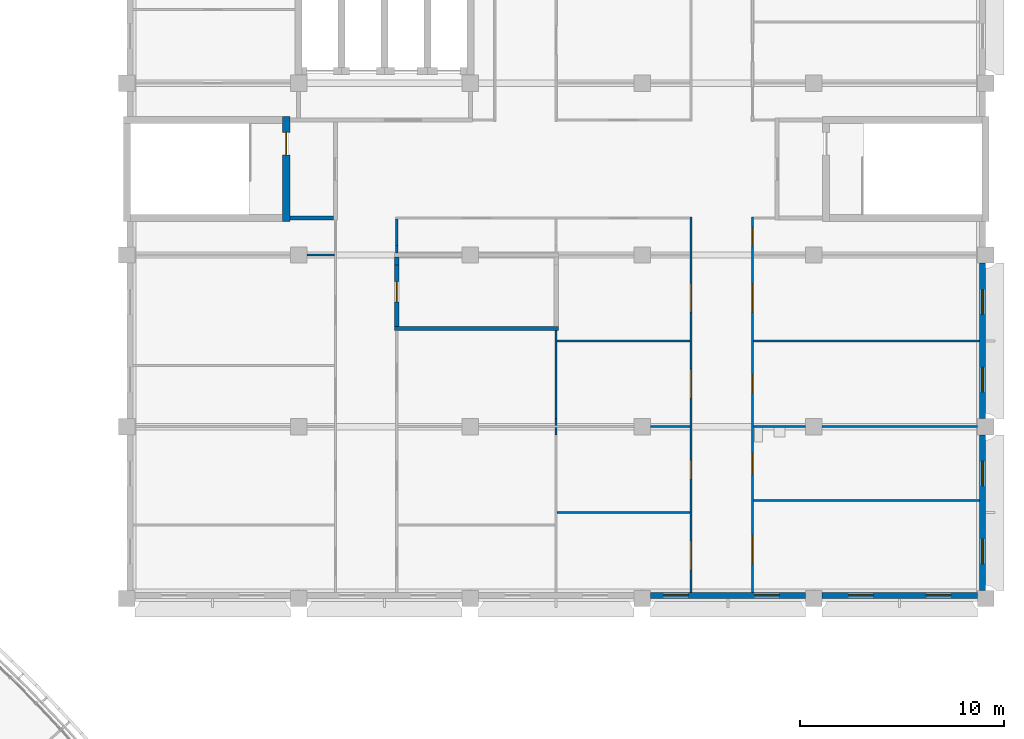
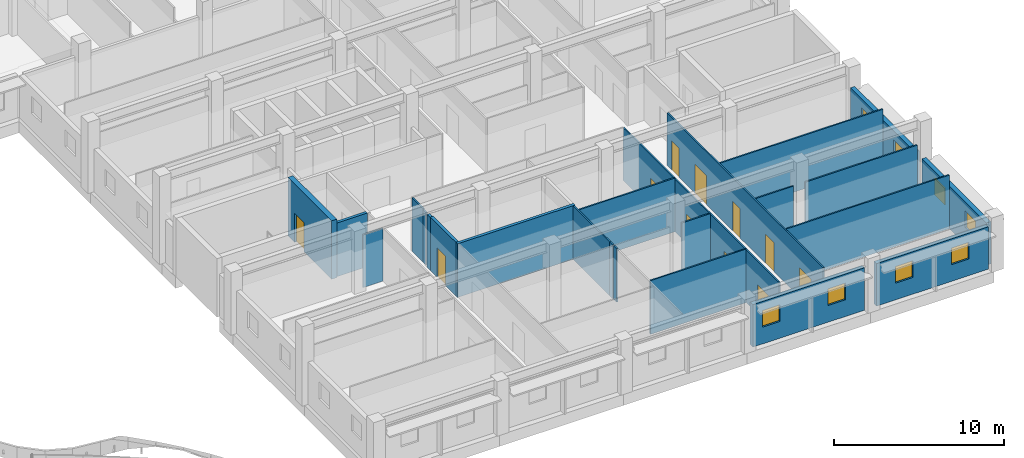
# One storey, part 68 of 109: 24 walls, 11 doors, 8 windows, 19 openings.
"""IFC4 building model written with IfcOpenShell, lengths in metres."""

from ifc_helpers import new_model, si_unit, direction, frame, frame_2d, origin, place, context, subcontext, project, spatial, rectangle, extrude, material, layer, layer_set, type_object, element, fill, save


model = new_model("IFC4")

# Units and contexts
model_context = context("Model", 3, precision=1e-05, world=origin(), true_north=direction((0.0, 1.0)))
body_context = subcontext(model_context, "Body", "Model", "MODEL_VIEW")
ifc_project = project(units=[si_unit("LENGTHUNIT", "METRE"), si_unit("AREAUNIT", "SQUARE_METRE"), si_unit("VOLUMEUNIT", "CUBIC_METRE"), si_unit("PLANEANGLEUNIT", "RADIAN"), si_unit("MASSUNIT", "GRAM", prefix="KILO")], contexts=[model_context])

# Site, building, storey
site_placement = place(None, origin())
site = spatial("IfcSite", under=ifc_project, at=site_placement, CompositionType="ELEMENT")
building_placement = place(site_placement, origin())
building = spatial("IfcBuilding", under=site, at=building_placement, Name="Bougainvillea Quay General Hospital", CompositionType="ELEMENT")
storey_placement = place(building_placement, frame((0.0, 0.0, 12.60009765625)))
storey = spatial("IfcBuildingStorey", under=building, at=storey_placement, Name="L02", CompositionType="ELEMENT", Elevation=12.60009765625)

# Wall, openings, windows
ifc_material_1 = material(Name="Pale stone rainscreen cladding on insulated masonry backing, pale stone", Category="masonry")
ifc_layer_1 = layer(ifc_material_1, 0.300048828125)
ifc_layer_set_1 = layer_set([ifc_layer_1], Name="Pale stone rainscreen cladding on insulated masonry backing, pale stone")
wall_type_1 = type_object("IfcWallType", Name="External wall pale stone rainscreen 300", PredefinedType="STANDARD", material=ifc_layer_set_1)
wall_1_placement = place(storey_placement, frame((189.39990234375, 75.75, 0.0), z_axis=(0.0, 0.0, 1.0), x_axis=(1.0, 0.0, 0.0)))
wall_1 = element("IfcWall", 1, at=wall_1_placement, inside=storey, type_object=wall_type_1, Name="External wall wall/V3/L02/p0/01d", PredefinedType="STANDARD", context=body_context, shape_type="SweptSolid", body=[
    extrude(rectangle(XDim=7.60009765625, YDim=0.300048828125, at=frame_2d((3.800048828125, 0.0))), origin(), (0.0, 0.0, 1.0), 3.0498046875),
])
opening_1_placement = place(wall_1_placement, frame((0.64990234375, 0.0, 1.199951171875)))
opening_1 = element("IfcOpeningElement", 2, at=opening_1_placement, cuts=wall_1, Name="Opening W2", PredefinedType="OPENING", context=body_context, shape_type="SweptSolid", body=[
    extrude(rectangle(XDim=1.199951171875, YDim=1.199951171875, at=frame_2d((0.60009765625, 0.60009765625))), frame((0.0, 0.159912109375, 0.0), z_axis=(0.0, -1.0, 0.0), x_axis=(1.0, 0.0, 0.0)), (0.0, 0.0, 1.0), 0.320068359375),
])
opening_2_placement = place(wall_1_placement, frame((5.10009765625, 0.0, 1.199951171875)))
opening_2 = element("IfcOpeningElement", 3, at=opening_2_placement, cuts=wall_1, Name="Opening W2", PredefinedType="OPENING", context=body_context, shape_type="SweptSolid", body=[
    extrude(rectangle(XDim=1.199951171875, YDim=1.199951171875, at=frame_2d((0.60009765625, 0.60009765625))), frame((0.0, 0.159912109375, 0.0), z_axis=(0.0, -1.0, 0.0), x_axis=(1.0, 0.0, 0.0)), (0.0, 0.0, 1.0), 0.320068359375),
])
ifc_material_2 = material(Name="Aluminium window frame with low-e double glazed unit", Category="aluminium")
window_type = type_object("IfcWindowType", Name="Window W2 1200x1200", PartitioningType="SINGLE_PANEL", PredefinedType="WINDOW", material=ifc_material_2)
window_1_placement = place(opening_1_placement, origin())
window_1 = element("IfcWindow", 4, at=window_1_placement, inside=storey, type_object=window_type, Name="Window W2 1", OverallHeight=1.199951171875, OverallWidth=1.199951171875, PartitioningType="SINGLE_PANEL", PredefinedType="WINDOW", context=body_context, shape_type="SweptSolid", body=[
    extrude(rectangle(XDim=1.199951171875, YDim=1.199951171875, at=frame_2d((0.60009765625, 0.60009765625))), frame((0.0, 0.030029296875, 0.0), z_axis=(0.0, -1.0, 0.0), x_axis=(1.0, 0.0, 0.0)), (0.0, 0.0, 1.0), 0.06005859375),
])
fill(opening_1, window_1)
window_2_placement = place(opening_2_placement, origin())
window_2 = element("IfcWindow", 5, at=window_2_placement, inside=storey, type_object=window_type, Name="Window W2 2", OverallHeight=1.199951171875, OverallWidth=1.199951171875, PartitioningType="SINGLE_PANEL", PredefinedType="WINDOW", context=body_context, shape_type="SweptSolid", body=[
    extrude(rectangle(XDim=1.199951171875, YDim=1.199951171875, at=frame_2d((0.60009765625, 0.60009765625))), frame((0.0, 0.030029296875, 0.0), z_axis=(0.0, -1.0, 0.0), x_axis=(1.0, 0.0, 0.0)), (0.0, 0.0, 1.0), 0.06005859375),
])
fill(opening_2, window_2)

wall_2_placement = place(storey_placement, frame((197.800048828125, 75.75, 0.0), z_axis=(0.0, 0.0, 1.0), x_axis=(1.0, 0.0, 0.0)))
wall_2 = element("IfcWall", 6, at=wall_2_placement, inside=storey, type_object=wall_type_1, Name="External wall wall/V3/L02/p0/01e", PredefinedType="STANDARD", context=body_context, shape_type="SweptSolid", body=[
    extrude(rectangle(XDim=7.599853515625, YDim=0.300048828125, at=frame_2d((3.7998046875, 0.0))), origin(), (0.0, 0.0, 1.0), 3.0498046875),
])
opening_3_placement = place(wall_2_placement, frame((1.300048828125, 0.0, 1.199951171875)))
opening_3 = element("IfcOpeningElement", 7, at=opening_3_placement, cuts=wall_2, Name="Opening W2", PredefinedType="OPENING", context=body_context, shape_type="SweptSolid", body=[
    extrude(rectangle(XDim=1.199951171875, YDim=1.199951171875, at=frame_2d((0.60009765625, 0.60009765625))), frame((0.0, 0.159912109375, 0.0), z_axis=(0.0, -1.0, 0.0), x_axis=(1.0, 0.0, 0.0)), (0.0, 0.0, 1.0), 0.320068359375),
])
opening_4_placement = place(wall_2_placement, frame((5.10009765625, 0.0, 1.199951171875)))
opening_4 = element("IfcOpeningElement", 8, at=opening_4_placement, cuts=wall_2, Name="Opening W2", PredefinedType="OPENING", context=body_context, shape_type="SweptSolid", body=[
    extrude(rectangle(XDim=1.199951171875, YDim=1.199951171875, at=frame_2d((0.60009765625, 0.60009765625))), frame((0.0, 0.159912109375, 0.0), z_axis=(0.0, -1.0, 0.0), x_axis=(1.0, 0.0, 0.0)), (0.0, 0.0, 1.0), 0.320068359375),
])
window_3_placement = place(opening_3_placement, origin())
window_3 = element("IfcWindow", 9, at=window_3_placement, inside=storey, type_object=window_type, Name="Window W2 1", OverallHeight=1.199951171875, OverallWidth=1.199951171875, PartitioningType="SINGLE_PANEL", PredefinedType="WINDOW", context=body_context, shape_type="SweptSolid", body=[
    extrude(rectangle(XDim=1.199951171875, YDim=1.199951171875, at=frame_2d((0.60009765625, 0.60009765625))), frame((0.0, 0.030029296875, 0.0), z_axis=(0.0, -1.0, 0.0), x_axis=(1.0, 0.0, 0.0)), (0.0, 0.0, 1.0), 0.06005859375),
])
fill(opening_3, window_3)
window_4_placement = place(opening_4_placement, origin())
window_4 = element("IfcWindow", 10, at=window_4_placement, inside=storey, type_object=window_type, Name="Window W2 2", OverallHeight=1.199951171875, OverallWidth=1.199951171875, PartitioningType="SINGLE_PANEL", PredefinedType="WINDOW", context=body_context, shape_type="SweptSolid", body=[
    extrude(rectangle(XDim=1.199951171875, YDim=1.199951171875, at=frame_2d((0.60009765625, 0.60009765625))), frame((0.0, 0.030029296875, 0.0), z_axis=(0.0, -1.0, 0.0), x_axis=(1.0, 0.0, 0.0)), (0.0, 0.0, 1.0), 0.06005859375),
])
fill(opening_4, window_4)

wall_3_placement = place(storey_placement, frame((205.64990234375, 76.0, 0.0), z_axis=(0.0, 0.0, 1.0), x_axis=(0.0, 1.0, 0.0)))
wall_3 = element("IfcWall", 11, at=wall_3_placement, inside=storey, type_object=wall_type_1, Name="External wall wall/V3/L02/p0/02a", PredefinedType="STANDARD", context=body_context, shape_type="SweptSolid", body=[
    extrude(rectangle(XDim=7.60009765625, YDim=0.300048828125, at=frame_2d((3.800048828125, 0.0))), origin(), (0.0, 0.0, 1.0), 3.0498046875),
])
opening_5_placement = place(wall_3_placement, frame((1.300048828125, 0.0, 1.199951171875)))
opening_5 = element("IfcOpeningElement", 12, at=opening_5_placement, cuts=wall_3, Name="Opening W2", PredefinedType="OPENING", context=body_context, shape_type="SweptSolid", body=[
    extrude(rectangle(XDim=1.199951171875, YDim=1.199951171875, at=frame_2d((0.60009765625, 0.60009765625))), frame((0.0, 0.159912109375, 0.0), z_axis=(0.0, -1.0, 0.0), x_axis=(1.0, 0.0, 0.0)), (0.0, 0.0, 1.0), 0.320068359375),
])
opening_6_placement = place(wall_3_placement, frame((5.10009765625, 0.0, 1.199951171875)))
opening_6 = element("IfcOpeningElement", 13, at=opening_6_placement, cuts=wall_3, Name="Opening W2", PredefinedType="OPENING", context=body_context, shape_type="SweptSolid", body=[
    extrude(rectangle(XDim=1.199951171875, YDim=1.199951171875, at=frame_2d((0.60009765625, 0.60009765625))), frame((0.0, 0.159912109375, 0.0), z_axis=(0.0, -1.0, 0.0), x_axis=(1.0, 0.0, 0.0)), (0.0, 0.0, 1.0), 0.320068359375),
])
window_5_placement = place(opening_5_placement, origin())
window_5 = element("IfcWindow", 14, at=window_5_placement, inside=storey, type_object=window_type, Name="Window W2 1", OverallHeight=1.199951171875, OverallWidth=1.199951171875, PartitioningType="SINGLE_PANEL", PredefinedType="WINDOW", context=body_context, shape_type="SweptSolid", body=[
    extrude(rectangle(XDim=1.199951171875, YDim=1.199951171875, at=frame_2d((0.60009765625, 0.60009765625))), frame((0.0, 0.030029296875, 0.0), z_axis=(0.0, -1.0, 0.0), x_axis=(1.0, 0.0, 0.0)), (0.0, 0.0, 1.0), 0.06005859375),
])
fill(opening_5, window_5)
window_6_placement = place(opening_6_placement, origin())
window_6 = element("IfcWindow", 15, at=window_6_placement, inside=storey, type_object=window_type, Name="Window W2 2", OverallHeight=1.199951171875, OverallWidth=1.199951171875, PartitioningType="SINGLE_PANEL", PredefinedType="WINDOW", context=body_context, shape_type="SweptSolid", body=[
    extrude(rectangle(XDim=1.199951171875, YDim=1.199951171875, at=frame_2d((0.60009765625, 0.60009765625))), frame((0.0, 0.030029296875, 0.0), z_axis=(0.0, -1.0, 0.0), x_axis=(1.0, 0.0, 0.0)), (0.0, 0.0, 1.0), 0.06005859375),
])
fill(opening_6, window_6)

wall_4_placement = place(storey_placement, frame((205.64990234375, 84.39990234375, 0.0), z_axis=(0.0, 0.0, 1.0), x_axis=(0.0, 1.0, 0.0)))
wall_4 = element("IfcWall", 16, at=wall_4_placement, inside=storey, type_object=wall_type_1, Name="External wall wall/V3/L02/p0/02b", PredefinedType="STANDARD", context=body_context, shape_type="SweptSolid", body=[
    extrude(rectangle(XDim=7.60009765625, YDim=0.300048828125, at=frame_2d((3.800048828125, 0.0))), origin(), (0.0, 0.0, 1.0), 3.0498046875),
])
opening_7_placement = place(wall_4_placement, frame((1.300048828125, 0.0, 1.199951171875)))
opening_7 = element("IfcOpeningElement", 17, at=opening_7_placement, cuts=wall_4, Name="Opening W2", PredefinedType="OPENING", context=body_context, shape_type="SweptSolid", body=[
    extrude(rectangle(XDim=1.199951171875, YDim=1.199951171875, at=frame_2d((0.60009765625, 0.60009765625))), frame((0.0, 0.159912109375, 0.0), z_axis=(0.0, -1.0, 0.0), x_axis=(1.0, 0.0, 0.0)), (0.0, 0.0, 1.0), 0.320068359375),
])
opening_8_placement = place(wall_4_placement, frame((5.10009765625, 0.0, 1.199951171875)))
opening_8 = element("IfcOpeningElement", 18, at=opening_8_placement, cuts=wall_4, Name="Opening W2", PredefinedType="OPENING", context=body_context, shape_type="SweptSolid", body=[
    extrude(rectangle(XDim=1.199951171875, YDim=1.199951171875, at=frame_2d((0.60009765625, 0.60009765625))), frame((0.0, 0.159912109375, 0.0), z_axis=(0.0, -1.0, 0.0), x_axis=(1.0, 0.0, 0.0)), (0.0, 0.0, 1.0), 0.320068359375),
])
window_7_placement = place(opening_7_placement, origin())
window_7 = element("IfcWindow", 19, at=window_7_placement, inside=storey, type_object=window_type, Name="Window W2 1", OverallHeight=1.199951171875, OverallWidth=1.199951171875, PartitioningType="SINGLE_PANEL", PredefinedType="WINDOW", context=body_context, shape_type="SweptSolid", body=[
    extrude(rectangle(XDim=1.199951171875, YDim=1.199951171875, at=frame_2d((0.60009765625, 0.60009765625))), frame((0.0, 0.030029296875, 0.0), z_axis=(0.0, -1.0, 0.0), x_axis=(1.0, 0.0, 0.0)), (0.0, 0.0, 1.0), 0.06005859375),
])
fill(opening_7, window_7)
window_8_placement = place(opening_8_placement, origin())
window_8 = element("IfcWindow", 20, at=window_8_placement, inside=storey, type_object=window_type, Name="Window W2 2", OverallHeight=1.199951171875, OverallWidth=1.199951171875, PartitioningType="SINGLE_PANEL", PredefinedType="WINDOW", context=body_context, shape_type="SweptSolid", body=[
    extrude(rectangle(XDim=1.199951171875, YDim=1.199951171875, at=frame_2d((0.60009765625, 0.60009765625))), frame((0.0, 0.030029296875, 0.0), z_axis=(0.0, -1.0, 0.0), x_axis=(1.0, 0.0, 0.0)), (0.0, 0.0, 1.0), 0.06005859375),
])
fill(opening_8, window_8)

# Wall, openings, doors
ifc_material_3 = material(Name="Gypsum board partition on steel studs", Category="steel")
ifc_layer_2 = layer(ifc_material_3, 0.10009765625)
ifc_layer_set_2 = layer_set([ifc_layer_2], Name="Gypsum board partition on steel studs")
wall_type_2 = type_object("IfcWallType", Name="Partition 100 Gypsum board partition", PredefinedType="PARTITIONING", material=ifc_layer_set_2)
wall_5_placement = place(storey_placement, frame((191.39990234375, 94.25, 0.0), z_axis=(0.0, 0.0, 1.0), x_axis=(0.0, -1.0, 0.0)))
wall_5 = element("IfcWall", 21, at=wall_5_placement, inside=storey, type_object=wall_type_2, Name="Partition 100 mm", PredefinedType="PARTITIONING", context=body_context, shape_type="SweptSolid", body=[
    extrude(rectangle(XDim=18.35009765625, YDim=0.10009765625, at=frame_2d((9.175048828125, 0.0))), origin(), (0.0, 0.0, 1.0), 3.789794921875),
])
opening_9_placement = place(wall_5_placement, frame((3.25, 0.0, 0.0)))
opening_9 = element("IfcOpeningElement", 22, at=opening_9_placement, cuts=wall_5, Name="Opening L02.064", PredefinedType="OPENING", context=body_context, shape_type="SweptSolid", body=[
    extrude(rectangle(XDim=1.39990234375, YDim=2.10009765625, at=frame_2d((0.699951171875, 1.050048828125))), frame((0.0, 0.06005859375, 0.0), z_axis=(0.0, -1.0, 0.0), x_axis=(1.0, 0.0, 0.0)), (0.0, 0.0, 1.0), 0.1201171875),
])
opening_10_placement = place(wall_5_placement, frame((7.449951171875, 0.0, 0.0)))
opening_10 = element("IfcOpeningElement", 23, at=opening_10_placement, cuts=wall_5, Name="Opening L02.065", PredefinedType="OPENING", context=body_context, shape_type="SweptSolid", body=[
    extrude(rectangle(XDim=1.39990234375, YDim=2.10009765625, at=frame_2d((0.699951171875, 1.050048828125))), frame((0.0, 0.06005859375, 0.0), z_axis=(0.0, -1.0, 0.0), x_axis=(1.0, 0.0, 0.0)), (0.0, 0.0, 1.0), 0.1201171875),
])
opening_11_placement = place(wall_5_placement, frame((11.89990234375, 0.0, 0.0)))
opening_11 = element("IfcOpeningElement", 24, at=opening_11_placement, cuts=wall_5, Name="Opening L02.066", PredefinedType="OPENING", context=body_context, shape_type="SweptSolid", body=[
    extrude(rectangle(XDim=0.89990234375, YDim=2.10009765625, at=frame_2d((0.449951171875, 1.050048828125))), frame((0.0, 0.06005859375, 0.0), z_axis=(0.0, -1.0, 0.0), x_axis=(1.0, 0.0, 0.0)), (0.0, 0.0, 1.0), 0.1201171875),
])
opening_12_placement = place(wall_5_placement, frame((15.85009765625, 0.0, 0.0)))
opening_12 = element("IfcOpeningElement", 25, at=opening_12_placement, cuts=wall_5, Name="Opening L02.067", PredefinedType="OPENING", context=body_context, shape_type="SweptSolid", body=[
    extrude(rectangle(XDim=1.39990234375, YDim=2.10009765625, at=frame_2d((0.699951171875, 1.050048828125))), frame((0.0, 0.06005859375, 0.0), z_axis=(0.0, -1.0, 0.0), x_axis=(1.0, 0.0, 0.0)), (0.0, 0.0, 1.0), 0.1201171875),
])
ifc_material_4 = material(Name="Solid-core timber door leaves in steel frame", Category="steel")
door_type_1 = type_object("IfcDoorType", Name="Bed door pair 1400x2100", OperationType="DOUBLE_DOOR_SINGLE_SWING", PredefinedType="DOOR", material=ifc_material_4)
door_1_placement = place(opening_9_placement, frame((1.39990234375, 0.0, 0.0), z_axis=(0.0, 0.0, 1.0), x_axis=(-1.0, 0.0, 0.0)))
door_1 = element("IfcDoor", 26, at=door_1_placement, inside=storey, type_object=door_type_1, Name="DT09 L02.064", OperationType="DOUBLE_DOOR_SINGLE_SWING", OverallHeight=2.10009765625, OverallWidth=1.39990234375, PredefinedType="DOOR", context=body_context, shape_type="SweptSolid", body=[
    extrude(rectangle(XDim=1.39990234375, YDim=2.10009765625, at=frame_2d((0.699951171875, 1.050048828125))), frame((0.0, 0.02490234375, 0.0), z_axis=(0.0, -1.0, 0.0), x_axis=(1.0, 0.0, 0.0)), (0.0, 0.0, 1.0), 0.050048828125),
])
fill(opening_9, door_1)
door_2_placement = place(opening_10_placement, frame((1.39990234375, 0.0, 0.0), z_axis=(0.0, 0.0, 1.0), x_axis=(-1.0, 0.0, 0.0)))
door_2 = element("IfcDoor", 27, at=door_2_placement, inside=storey, type_object=door_type_1, Name="DT09 L02.065", OperationType="DOUBLE_DOOR_SINGLE_SWING", OverallHeight=2.10009765625, OverallWidth=1.39990234375, PredefinedType="DOOR", context=body_context, shape_type="SweptSolid", body=[
    extrude(rectangle(XDim=1.39990234375, YDim=2.10009765625, at=frame_2d((0.699951171875, 1.050048828125))), frame((0.0, 0.02490234375, 0.0), z_axis=(0.0, -1.0, 0.0), x_axis=(1.0, 0.0, 0.0)), (0.0, 0.0, 1.0), 0.050048828125),
])
fill(opening_10, door_2)
door_3_placement = place(opening_12_placement, frame((1.39990234375, 0.0, 0.0), z_axis=(0.0, 0.0, 1.0), x_axis=(-1.0, 0.0, 0.0)))
door_3 = element("IfcDoor", 28, at=door_3_placement, inside=storey, type_object=door_type_1, Name="DT09 L02.067", OperationType="DOUBLE_DOOR_SINGLE_SWING", OverallHeight=2.10009765625, OverallWidth=1.39990234375, PredefinedType="DOOR", context=body_context, shape_type="SweptSolid", body=[
    extrude(rectangle(XDim=1.39990234375, YDim=2.10009765625, at=frame_2d((0.699951171875, 1.050048828125))), frame((0.0, 0.02490234375, 0.0), z_axis=(0.0, -1.0, 0.0), x_axis=(1.0, 0.0, 0.0)), (0.0, 0.0, 1.0), 0.050048828125),
])
fill(opening_12, door_3)
ifc_material_5 = material(Name="Solid-core timber door leaf in steel frame", Category="steel")
door_type_2 = type_object("IfcDoorType", Name="Single leaf door 900x2100", OperationType="NOTDEFINED", PredefinedType="DOOR", material=ifc_material_5)
door_4_placement = place(opening_11_placement, frame((0.89990234375, 0.0, 0.0), z_axis=(0.0, 0.0, 1.0), x_axis=(-1.0, 0.0, 0.0)))
door_4 = element("IfcDoor", 29, at=door_4_placement, inside=storey, type_object=door_type_2, Name="DT07 L02.066", OperationType="SINGLE_SWING_LEFT", OverallHeight=2.10009765625, OverallWidth=0.89990234375, PredefinedType="DOOR", context=body_context, shape_type="SweptSolid", body=[
    extrude(rectangle(XDim=0.89990234375, YDim=2.10009765625, at=frame_2d((0.449951171875, 1.050048828125))), frame((0.0, 0.02490234375, 0.0), z_axis=(0.0, -1.0, 0.0), x_axis=(1.0, 0.0, 0.0)), (0.0, 0.0, 1.0), 0.050048828125),
])
fill(opening_11, door_4)

wall_6_placement = place(storey_placement, frame((194.39990234375, 94.25, 0.0), z_axis=(0.0, 0.0, 1.0), x_axis=(0.0, -1.0, 0.0)))
wall_6 = element("IfcWall", 30, at=wall_6_placement, inside=storey, type_object=wall_type_2, Name="Partition 100 mm", PredefinedType="PARTITIONING", context=body_context, shape_type="SweptSolid", body=[
    extrude(rectangle(XDim=18.35009765625, YDim=0.10009765625, at=frame_2d((9.175048828125, 0.0))), origin(), (0.0, 0.0, 1.0), 3.789794921875),
])
opening_13_placement = place(wall_6_placement, frame((0.5, 0.0, 0.0)))
opening_13 = element("IfcOpeningElement", 31, at=opening_13_placement, cuts=wall_6, Name="Opening L02.068", PredefinedType="OPENING", context=body_context, shape_type="SweptSolid", body=[
    extrude(rectangle(XDim=0.89990234375, YDim=2.10009765625, at=frame_2d((0.449951171875, 1.050048828125))), frame((0.0, 0.06005859375, 0.0), z_axis=(0.0, -1.0, 0.0), x_axis=(1.0, 0.0, 0.0)), (0.0, 0.0, 1.0), 0.1201171875),
])
opening_14_placement = place(wall_6_placement, frame((3.25, 0.0, 0.0)))
opening_14 = element("IfcOpeningElement", 32, at=opening_14_placement, cuts=wall_6, Name="Opening L02.069", PredefinedType="OPENING", context=body_context, shape_type="SweptSolid", body=[
    extrude(rectangle(XDim=1.39990234375, YDim=2.10009765625, at=frame_2d((0.699951171875, 1.050048828125))), frame((0.0, 0.06005859375, 0.0), z_axis=(0.0, -1.0, 0.0), x_axis=(1.0, 0.0, 0.0)), (0.0, 0.0, 1.0), 0.1201171875),
])
opening_15_placement = place(wall_6_placement, frame((7.699951171875, 0.0, 0.0)))
opening_15 = element("IfcOpeningElement", 33, at=opening_15_placement, cuts=wall_6, Name="Opening L02.070", PredefinedType="OPENING", context=body_context, shape_type="SweptSolid", body=[
    extrude(rectangle(XDim=0.89990234375, YDim=2.10009765625, at=frame_2d((0.449951171875, 1.050048828125))), frame((0.0, 0.06005859375, 0.0), z_axis=(0.0, -1.0, 0.0), x_axis=(1.0, 0.0, 0.0)), (0.0, 0.0, 1.0), 0.1201171875),
])
opening_16_placement = place(wall_6_placement, frame((11.550048828125, 0.0, 0.0)))
opening_16 = element("IfcOpeningElement", 34, at=opening_16_placement, cuts=wall_6, Name="Opening L02.071", PredefinedType="OPENING", context=body_context, shape_type="SweptSolid", body=[
    extrude(rectangle(XDim=1.0, YDim=2.10009765625, at=frame_2d((0.5, 1.050048828125))), frame((0.0, 0.06005859375, 0.0), z_axis=(0.0, -1.0, 0.0), x_axis=(1.0, 0.0, 0.0)), (0.0, 0.0, 1.0), 0.1201171875),
])
opening_17_placement = place(wall_6_placement, frame((15.550048828125, 0.0, 0.0)))
opening_17 = element("IfcOpeningElement", 35, at=opening_17_placement, cuts=wall_6, Name="Opening L02.072", PredefinedType="OPENING", context=body_context, shape_type="SweptSolid", body=[
    extrude(rectangle(XDim=1.39990234375, YDim=2.10009765625, at=frame_2d((0.699951171875, 1.050048828125))), frame((0.0, 0.06005859375, 0.0), z_axis=(0.0, -1.0, 0.0), x_axis=(1.0, 0.0, 0.0)), (0.0, 0.0, 1.0), 0.1201171875),
])
door_5_placement = place(opening_14_placement, origin())
door_5 = element("IfcDoor", 36, at=door_5_placement, inside=storey, type_object=door_type_1, Name="DT09 L02.069", OperationType="DOUBLE_DOOR_SINGLE_SWING", OverallHeight=2.10009765625, OverallWidth=1.39990234375, PredefinedType="DOOR", context=body_context, shape_type="SweptSolid", body=[
    extrude(rectangle(XDim=1.39990234375, YDim=2.10009765625, at=frame_2d((0.699951171875, 1.050048828125))), frame((0.0, 0.02490234375, 0.0), z_axis=(0.0, -1.0, 0.0), x_axis=(1.0, 0.0, 0.0)), (0.0, 0.0, 1.0), 0.050048828125),
])
fill(opening_14, door_5)
door_6_placement = place(opening_17_placement, origin())
door_6 = element("IfcDoor", 37, at=door_6_placement, inside=storey, type_object=door_type_1, Name="DT09 L02.072", OperationType="DOUBLE_DOOR_SINGLE_SWING", OverallHeight=2.10009765625, OverallWidth=1.39990234375, PredefinedType="DOOR", context=body_context, shape_type="SweptSolid", body=[
    extrude(rectangle(XDim=1.39990234375, YDim=2.10009765625, at=frame_2d((0.699951171875, 1.050048828125))), frame((0.0, 0.02490234375, 0.0), z_axis=(0.0, -1.0, 0.0), x_axis=(1.0, 0.0, 0.0)), (0.0, 0.0, 1.0), 0.050048828125),
])
fill(opening_17, door_6)
door_type_3 = type_object("IfcDoorType", Name="Single leaf door 1000x2100", OperationType="NOTDEFINED", PredefinedType="DOOR", material=ifc_material_5)
door_7_placement = place(opening_16_placement, origin())
door_7 = element("IfcDoor", 38, at=door_7_placement, inside=storey, type_object=door_type_3, Name="DT06 L02.071", OperationType="SINGLE_SWING_RIGHT", OverallHeight=2.10009765625, OverallWidth=1.0, PredefinedType="DOOR", context=body_context, shape_type="SweptSolid", body=[
    extrude(rectangle(XDim=1.0, YDim=2.10009765625, at=frame_2d((0.5, 1.050048828125))), frame((0.0, 0.02490234375, 0.0), z_axis=(0.0, -1.0, 0.0), x_axis=(1.0, 0.0, 0.0)), (0.0, 0.0, 1.0), 0.050048828125),
])
fill(opening_16, door_7)
door_8_placement = place(opening_13_placement, origin())
door_8 = element("IfcDoor", 39, at=door_8_placement, inside=storey, type_object=door_type_2, Name="DT07 L02.068", OperationType="SINGLE_SWING_LEFT", OverallHeight=2.10009765625, OverallWidth=0.89990234375, PredefinedType="DOOR", context=body_context, shape_type="SweptSolid", body=[
    extrude(rectangle(XDim=0.89990234375, YDim=2.10009765625, at=frame_2d((0.449951171875, 1.050048828125))), frame((0.0, 0.02490234375, 0.0), z_axis=(0.0, -1.0, 0.0), x_axis=(1.0, 0.0, 0.0)), (0.0, 0.0, 1.0), 0.050048828125),
])
fill(opening_13, door_8)
door_9_placement = place(opening_15_placement, origin())
door_9 = element("IfcDoor", 40, at=door_9_placement, inside=storey, type_object=door_type_2, Name="DT07 L02.070", OperationType="SINGLE_SWING_LEFT", OverallHeight=2.10009765625, OverallWidth=0.89990234375, PredefinedType="DOOR", context=body_context, shape_type="SweptSolid", body=[
    extrude(rectangle(XDim=0.89990234375, YDim=2.10009765625, at=frame_2d((0.449951171875, 1.050048828125))), frame((0.0, 0.02490234375, 0.0), z_axis=(0.0, -1.0, 0.0), x_axis=(1.0, 0.0, 0.0)), (0.0, 0.0, 1.0), 0.050048828125),
])
fill(opening_15, door_9)

# Walls
wall_7_placement = place(storey_placement, frame((189.39990234375, 84.0, 0.0), z_axis=(0.0, 0.0, 1.0), x_axis=(1.0, 0.0, 0.0)))
element("IfcWall", 41, at=wall_7_placement, inside=storey, type_object=wall_type_2, Name="Partition 100 mm", PredefinedType="PARTITIONING", context=body_context, shape_type="SweptSolid", body=[
    extrude(rectangle(XDim=1.9501953125, YDim=0.10009765625, at=frame_2d((0.97509765625, 0.0))), origin(), (0.0, 0.0, 1.0), 3.849853515625),
])
wall_8_placement = place(storey_placement, frame((184.800048828125, 88.699951171875, 0.0), z_axis=(0.0, 0.0, 1.0), x_axis=(0.0, -1.0, 0.0)))
element("IfcWall", 42, at=wall_8_placement, inside=storey, type_object=wall_type_2, Name="Partition 100 mm", PredefinedType="PARTITIONING", context=body_context, shape_type="SweptSolid", body=[
    extrude(rectangle(XDim=4.300048828125, YDim=0.10009765625, at=frame_2d((2.14990234375, 0.0))), origin(), (0.0, 0.0, 1.0), 3.849853515625),
])
for number, where, z_axis, x_axis, name in (
    (43, (184.800048828125, 84.39990234375, 0.0), (0.0, 0.0, 1.0), (0.0, -1.0, 0.0), "Partition 100 mm"),
    (44, (184.800048828125, 83.949951171875, 0.0), (0.0, 0.0, 1.0), (0.0, -1.0, 0.0), "Partition 100 mm"),
):
    element("IfcWall", number, at=place(storey_placement, frame(where, z_axis=z_axis, x_axis=x_axis)), inside=storey, type_object=wall_type_2, Name=name, PredefinedType="PARTITIONING", context=body_context, shape_type="SweptSolid", body=[
        extrude(rectangle(XDim=0.349853515625, YDim=0.10009765625, at=frame_2d((0.1748046875, 0.0))), origin(), (0.0, 0.0, 1.0), 3.849853515625),
    ])
wall_9_placement = place(storey_placement, frame((194.449951171875, 80.39990234375, 0.0), z_axis=(0.0, 0.0, 1.0), x_axis=(1.0, 0.0, 0.0)))
element("IfcWall", 45, at=wall_9_placement, inside=storey, type_object=wall_type_2, Name="Partition 100 mm", PredefinedType="PARTITIONING", context=body_context, shape_type="SweptSolid", body=[
    extrude(rectangle(XDim=11.050048828125, YDim=0.10009765625, at=frame_2d((5.52490234375, 0.0))), origin(), (0.0, 0.0, 1.0), 3.849853515625),
])
wall_10_placement = place(storey_placement, frame((194.449951171875, 84.0, 0.0), z_axis=(0.0, 0.0, 1.0), x_axis=(1.0, 0.0, 0.0)))
element("IfcWall", 46, at=wall_10_placement, inside=storey, type_object=wall_type_2, Name="Partition 100 mm", PredefinedType="PARTITIONING", context=body_context, shape_type="SweptSolid", body=[
    extrude(rectangle(XDim=2.550048828125, YDim=0.10009765625, at=frame_2d((1.27490234375, 0.0))), origin(), (0.0, 0.0, 1.0), 3.849853515625),
])
wall_11_placement = place(storey_placement, frame((197.800048828125, 84.0, 0.0), z_axis=(0.0, 0.0, 1.0), x_axis=(1.0, 0.0, 0.0)))
element("IfcWall", 47, at=wall_11_placement, inside=storey, type_object=wall_type_2, Name="Partition 100 mm", PredefinedType="PARTITIONING", context=body_context, shape_type="SweptSolid", body=[
    extrude(rectangle(XDim=7.599853515625, YDim=0.10009765625, at=frame_2d((3.7998046875, 0.0))), origin(), (0.0, 0.0, 1.0), 3.849853515625),
])
wall_12_placement = place(storey_placement, frame((194.449951171875, 88.199951171875, 0.0), z_axis=(0.0, 0.0, 1.0), x_axis=(1.0, 0.0, 0.0)))
element("IfcWall", 48, at=wall_12_placement, inside=storey, type_object=wall_type_2, Name="Partition 100 mm", PredefinedType="PARTITIONING", context=body_context, shape_type="SweptSolid", body=[
    extrude(rectangle(XDim=11.050048828125, YDim=0.10009765625, at=frame_2d((5.52490234375, 0.0))), origin(), (0.0, 0.0, 1.0), 3.849853515625),
])
wall_13_placement = place(storey_placement, frame((172.60009765625, 92.39990234375, 0.0), z_axis=(0.0, 0.0, 1.0), x_axis=(1.0, 0.0, 0.0)))
element("IfcWall", 49, at=wall_13_placement, inside=storey, type_object=wall_type_2, Name="Partition 100 mm", PredefinedType="PARTITIONING", context=body_context, shape_type="SweptSolid", body=[
    extrude(rectangle(XDim=1.349853515625, YDim=0.10009765625, at=frame_2d((0.6748046875, 0.0))), origin(), (0.0, 0.0, 1.0), 3.789794921875),
])
for number, where, z_axis, x_axis, name in (
    (50, (184.85009765625, 79.800048828125, 0.0), (0.0, 0.0, 1.0), (1.0, 0.0, 0.0), "Partition 100 mm"),
    (51, (184.85009765625, 88.199951171875, 0.0), (0.0, 0.0, 1.0), (1.0, 0.0, 0.0), "Partition 100 mm"),
):
    element("IfcWall", number, at=place(storey_placement, frame(where, z_axis=z_axis, x_axis=x_axis)), inside=storey, type_object=wall_type_2, Name=name, PredefinedType="PARTITIONING", context=body_context, shape_type="SweptSolid", body=[
        extrude(rectangle(XDim=6.5, YDim=0.10009765625, at=frame_2d((3.25, 0.0))), origin(), (0.0, 0.0, 1.0), 3.849853515625),
    ])
wall_14_placement = place(storey_placement, frame((177.0, 92.5, 0.0), z_axis=(0.0, 0.0, 1.0), x_axis=(0.0, 1.0, 0.0)))
element("IfcWall", 52, at=wall_14_placement, inside=storey, type_object=wall_type_2, Name="Partition 100 mm", PredefinedType="PARTITIONING", context=body_context, shape_type="SweptSolid", body=[
    extrude(rectangle(XDim=0.35009765625, YDim=0.10009765625, at=frame_2d((0.175048828125, 0.0))), origin(), (0.0, 0.0, 1.0), 3.789794921875),
])
wall_15_placement = place(storey_placement, frame((177.0, 92.85009765625, 0.0), z_axis=(0.0, 0.0, 1.0), x_axis=(0.0, 1.0, 0.0)))
element("IfcWall", 53, at=wall_15_placement, inside=storey, type_object=wall_type_2, Name="Partition 100 mm", PredefinedType="PARTITIONING", context=body_context, shape_type="SweptSolid", body=[
    extrude(rectangle(XDim=1.2998046875, YDim=0.10009765625, at=frame_2d((0.64990234375, 0.0))), origin(), (0.0, 0.0, 1.0), 3.849853515625),
])
ifc_material_6 = material(Name="Fire-rated autoclaved aerated block wall, plastered")
ifc_layer_3 = layer(ifc_material_6, 0.199951171875)
ifc_layer_set_3 = layer_set([ifc_layer_3], Name="Fire-rated autoclaved aerated block wall, plastered")
wall_type_3 = type_object("IfcWallType", Name="Partition 200 Fire-rated autoclaved aerated block wall EI 120", PredefinedType="SOLIDWALL", material=ifc_layer_set_3)
wall_16_placement = place(storey_placement, frame((171.77490234375, 94.199951171875, 0.0), z_axis=(0.0, 0.0, 1.0), x_axis=(1.0, 0.0, 0.0)))
element("IfcWall", 54, at=wall_16_placement, inside=storey, type_object=wall_type_3, Name="Partition 200 mm EI 120", PredefinedType="SOLIDWALL", context=body_context, shape_type="SweptSolid", body=[
    extrude(rectangle(XDim=2.125, YDim=0.199951171875, at=frame_2d((1.0625, 0.0))), origin(), (0.0, 0.0, 1.0), 3.849853515625),
])
ifc_layer_4 = layer(ifc_material_6, 0.199951171875)
ifc_layer_set_4 = layer_set([ifc_layer_4], Name="Fire-rated autoclaved aerated block wall, plastered")
wall_type_4 = type_object("IfcWallType", Name="Partition 200 Fire-rated autoclaved aerated block wall EI 60", PredefinedType="SOLIDWALL", material=ifc_layer_set_4)
wall_17_placement = place(storey_placement, frame((176.89990234375, 88.800048828125, 0.0), z_axis=(0.0, 0.0, 1.0), x_axis=(1.0, 0.0, 0.0)))
element("IfcWall", 55, at=wall_17_placement, inside=storey, type_object=wall_type_4, Name="Partition 200 mm EI 60", PredefinedType="SOLIDWALL", context=body_context, shape_type="SweptSolid", body=[
    extrude(rectangle(XDim=8.0, YDim=0.199951171875, at=frame_2d((4.0, 0.0))), origin(), (0.0, 0.0, 1.0), 3.849853515625),
])

# Wall, opening, door
wall_18_placement = place(storey_placement, frame((177.0, 88.89990234375, 0.0), z_axis=(0.0, 0.0, 1.0), x_axis=(0.0, 1.0, 0.0)))
wall_18 = element("IfcWall", 56, at=wall_18_placement, inside=storey, type_object=wall_type_4, Name="Partition 200 mm EI 60", PredefinedType="SOLIDWALL", context=body_context, shape_type="SweptSolid", body=[
    extrude(rectangle(XDim=3.0, YDim=0.199951171875, at=frame_2d((1.5, 0.0))), origin(), (0.0, 0.0, 1.0), 3.849853515625),
])
opening_18_placement = place(wall_18_placement, frame((1.199951171875, 0.0, 0.0)))
opening_18 = element("IfcOpeningElement", 57, at=opening_18_placement, cuts=wall_18, Name="Opening L02.059", PredefinedType="OPENING", context=body_context, shape_type="SweptSolid", body=[
    extrude(rectangle(XDim=1.0, YDim=2.10009765625, at=frame_2d((0.5, 1.050048828125))), frame((0.0, 0.10986328125, 0.0), z_axis=(0.0, -1.0, 0.0), x_axis=(1.0, 0.0, 0.0)), (0.0, 0.0, 1.0), 0.219970703125),
])
ifc_material_7 = material(Name="Steel fire door leaf in steel frame", Category="steel")
door_type_4 = type_object("IfcDoorType", Name="Steel single leaf door 1000x2100 FD60", OperationType="NOTDEFINED", PredefinedType="DOOR", material=ifc_material_7)
door_10_placement = place(opening_18_placement, frame((1.0, 0.0, 0.0), z_axis=(0.0, 0.0, 1.0), x_axis=(-1.0, 0.0, 0.0)))
door_10 = element("IfcDoor", 58, at=door_10_placement, inside=storey, type_object=door_type_4, Name="DT10 L02.059", OperationType="SINGLE_SWING_LEFT", OverallHeight=2.10009765625, OverallWidth=1.0, PredefinedType="DOOR", context=body_context, shape_type="SweptSolid", body=[
    extrude(rectangle(XDim=1.0, YDim=2.10009765625, at=frame_2d((0.5, 1.050048828125))), frame((0.0, 0.02490234375, 0.0), z_axis=(0.0, -1.0, 0.0), x_axis=(1.0, 0.0, 0.0)), (0.0, 0.0, 1.0), 0.050048828125),
])
fill(opening_18, door_10)

# Wall
wall_19_placement = place(storey_placement, frame((177.0, 91.89990234375, 0.0), z_axis=(0.0, 0.0, 1.0), x_axis=(0.0, 1.0, 0.0)))
element("IfcWall", 59, at=wall_19_placement, inside=storey, type_object=wall_type_4, Name="Partition 200 mm EI 60", PredefinedType="SOLIDWALL", context=body_context, shape_type="SweptSolid", body=[
    extrude(rectangle(XDim=0.400146484375, YDim=0.199951171875, at=frame_2d((0.2001953125, 0.0))), origin(), (0.0, 0.0, 1.0), 3.789794921875),
])

# Wall, opening, door
ifc_material_8 = material(Name="Concrete C40", Category="concrete")
ifc_layer_5 = layer(ifc_material_8, 0.35009765625)
ifc_layer_set_5 = layer_set([ifc_layer_5], Name="Concrete C40")
wall_type_5 = type_object("IfcWallType", Name="RC SHEAR WALL 350 C40", PredefinedType="SHEAR", material=ifc_layer_set_5)
wall_20_placement = place(storey_placement, frame((171.60009765625, 94.02490234375, 0.0), z_axis=(0.0, 0.0, 1.0), x_axis=(0.0, 1.0, 0.0)))
wall_20 = element("IfcWall", 60, at=wall_20_placement, inside=storey, type_object=wall_type_5, Name="Shear wall L02", PredefinedType="SHEAR", context=body_context, shape_type="SweptSolid", body=[
    extrude(rectangle(XDim=5.150146484375, YDim=0.35009765625, at=frame_2d((2.5751953125, 0.0))), origin(), (0.0, 0.0, 1.0), 4.199951171875),
])
opening_19_placement = place(wall_20_placement, frame((3.27490234375, 0.0, 0.0)))
opening_19 = element("IfcOpeningElement", 61, at=opening_19_placement, cuts=wall_20, Name="Opening L02.029", PredefinedType="OPENING", context=body_context, shape_type="SweptSolid", body=[
    extrude(rectangle(XDim=1.10009765625, YDim=2.10009765625, at=frame_2d((0.550048828125, 1.050048828125))), frame((0.0, 0.18505859375, 0.0), z_axis=(0.0, -1.0, 0.0), x_axis=(1.0, 0.0, 0.0)), (0.0, 0.0, 1.0), 0.3701171875),
])
door_type_5 = type_object("IfcDoorType", Name="Steel single leaf door 1100x2100 FD60", OperationType="NOTDEFINED", PredefinedType="DOOR", material=ifc_material_7)
door_11_placement = place(opening_19_placement, origin())
door_11 = element("IfcDoor", 62, at=door_11_placement, inside=storey, type_object=door_type_5, Name="DT04 L02.029", OperationType="SINGLE_SWING_RIGHT", OverallHeight=2.10009765625, OverallWidth=1.10009765625, PredefinedType="DOOR", context=body_context, shape_type="SweptSolid", body=[
    extrude(rectangle(XDim=1.10009765625, YDim=2.10009765625, at=frame_2d((0.550048828125, 1.050048828125))), frame((0.0, 0.02490234375, 0.0), z_axis=(0.0, -1.0, 0.0), x_axis=(1.0, 0.0, 0.0)), (0.0, 0.0, 1.0), 0.050048828125),
])
fill(opening_19, door_11)

save(model, "model.ifc")
